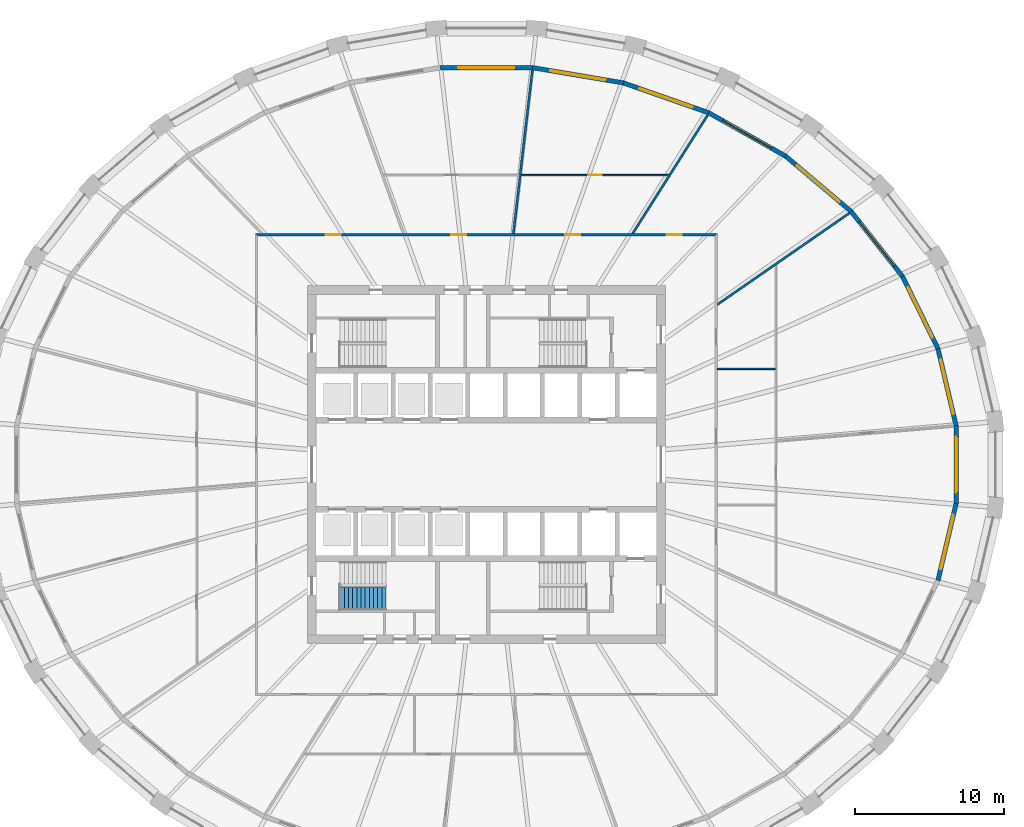
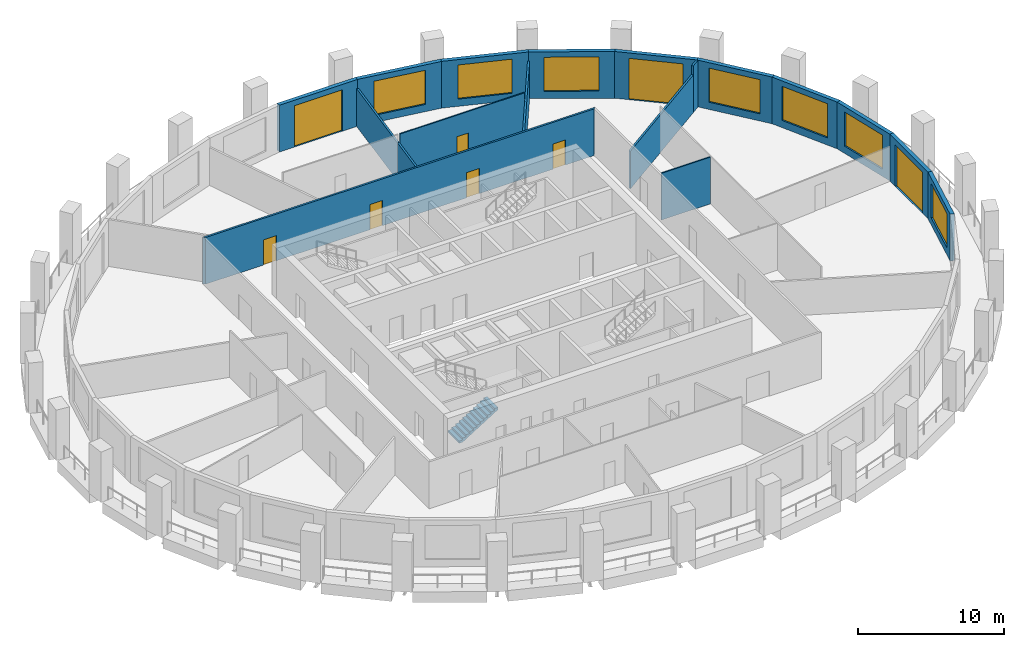
# One storey, part 7 of 11: 18 walls, 8 doors, 7 windows, 1 stair flight, 15 openings, 1 element without a shape of its own.
"""IFC4 building model written with IfcOpenShell, lengths in metres."""

from ifc_helpers import new_model, si_unit, direction, frame, frame_2d, origin, place, context, subcontext, project, spatial, polyline, rectangle, outline, extrude, material, layer, layer_set, type_object, element, fill, aggregate, save


model = new_model("IFC4")

# Units and contexts
model_context = context("Model", 3, precision=1e-05, world=origin(), true_north=direction((0.0, 1.0)))
body_context = subcontext(model_context, "Body", "Model", "MODEL_VIEW")
ifc_project = project(units=[si_unit("LENGTHUNIT", "METRE"), si_unit("AREAUNIT", "SQUARE_METRE"), si_unit("VOLUMEUNIT", "CUBIC_METRE"), si_unit("PLANEANGLEUNIT", "RADIAN"), si_unit("MASSUNIT", "GRAM", prefix="KILO")], contexts=[model_context])

# Site, building, storey
site_placement = place(None, origin())
site = spatial("IfcSite", under=ifc_project, at=site_placement, CompositionType="ELEMENT")
building_placement = place(site_placement, origin())
building = spatial("IfcBuilding", under=site, at=building_placement, Name="Halqa Exchange Tower", CompositionType="ELEMENT")
storey_placement = place(building_placement, frame((0.0, 0.0, 146.5)))
storey = spatial("IfcBuildingStorey", under=building, at=storey_placement, Name="L33", CompositionType="ELEMENT", Elevation=146.5)

# Wall, openings, doors
ifc_material_1 = material(Name="Fire-rated gypsum board")
ifc_layer_1 = layer(ifc_material_1, 0.14990234375)
ifc_layer_set_1 = layer_set([ifc_layer_1], Name="Fire-rated gypsum board")
wall_type_1 = type_object("IfcWallType", Name="Fire partition EI 60 150", PredefinedType="PARTITIONING", material=ifc_layer_set_1)
wall_1_placement = place(storey_placement, frame((-15.47509765625, 15.39990234375, 0.0), z_axis=(0.0, 0.0, 1.0), x_axis=(1.0, 0.0, 0.0)))
wall_1 = element("IfcWall", 1, at=wall_1_placement, inside=storey, type_object=wall_type_1, Name="L33-PWL-009", PredefinedType="PARTITIONING", context=body_context, shape_type="SweptSolid", body=[
    extrude(outline(polyline([(0.150146484375, -0.074951171875), (2.065673828125, -0.074951171875), (3.9814453125, -0.074951171875), (5.89697265625, -0.074951171875), (7.8125, -0.074951171875), (9.728271484375, -0.074951171875), (11.643798828125, -0.074951171875), (13.5595703125, -0.074951171875), (15.47509765625, -0.074951171875), (17.390625, -0.074951171875), (19.306396484375, -0.074951171875), (21.221923828125, -0.074951171875), (23.1376953125, -0.074951171875), (25.05322265625, -0.074951171875), (26.96875, -0.074951171875), (28.884521484375, -0.074951171875), (30.800048828125, -0.074951171875), (30.949951171875, 0.074951171875), (29.015625, 0.074951171875), (27.081298828125, 0.074951171875), (25.14697265625, 0.074951171875), (23.21240234375, 0.074951171875), (21.278076171875, 0.074951171875), (19.34375, 0.074951171875), (17.409423828125, 0.074951171875), (15.47509765625, 0.074951171875), (13.540771484375, 0.074951171875), (11.6064453125, 0.074951171875), (9.672119140625, 0.074951171875), (7.73779296875, 0.074951171875), (5.80322265625, 0.074951171875), (3.868896484375, 0.074951171875), (1.9345703125, 0.074951171875), (0.000244140625, 0.074951171875), (0.150146484375, -0.074951171875)])), origin(), (0.0, 0.0, 1.0), 3.89990234375),
])
opening_1_placement = place(wall_1_placement, frame((27.550048828125, 0.0, 0.0)))
opening_1 = element("IfcOpeningElement", 2, at=opening_1_placement, cuts=wall_1, Name="Opening 10-04", PredefinedType="OPENING", context=body_context, shape_type="SweptSolid", body=[
    extrude(rectangle(XDim=1.0, YDim=2.10009765625, at=frame_2d((0.5, 1.050048828125))), frame((0.0, 0.0869140625, 0.0), z_axis=(0.0, -1.0, 0.0), x_axis=(1.0, 0.0, 0.0)), (0.0, 0.0, 1.0), 0.173828125),
])
opening_2_placement = place(wall_1_placement, frame((20.75, 0.0, 0.0)))
opening_2 = element("IfcOpeningElement", 3, at=opening_2_placement, cuts=wall_1, Name="Opening 10-05", PredefinedType="OPENING", context=body_context, shape_type="SweptSolid", body=[
    extrude(rectangle(XDim=1.0, YDim=2.10009765625, at=frame_2d((0.5, 1.050048828125))), frame((0.0, 0.0869140625, 0.0), z_axis=(0.0, -1.0, 0.0), x_axis=(1.0, 0.0, 0.0)), (0.0, 0.0, 1.0), 0.173828125),
])
opening_3_placement = place(wall_1_placement, frame((13.110107421875, 0.0, 0.0)))
opening_3 = element("IfcOpeningElement", 4, at=opening_3_placement, cuts=wall_1, Name="Opening 10-06", PredefinedType="OPENING", context=body_context, shape_type="SweptSolid", body=[
    extrude(rectangle(XDim=1.0, YDim=2.10009765625, at=frame_2d((0.5, 1.050048828125))), frame((0.0, 0.0869140625, 0.0), z_axis=(0.0, -1.0, 0.0), x_axis=(1.0, 0.0, 0.0)), (0.0, 0.0, 1.0), 0.173828125),
])
opening_4_placement = place(wall_1_placement, frame((4.72509765625, 0.0, 0.0)))
opening_4 = element("IfcOpeningElement", 5, at=opening_4_placement, cuts=wall_1, Name="Opening 10-07", PredefinedType="OPENING", context=body_context, shape_type="SweptSolid", body=[
    extrude(rectangle(XDim=1.0, YDim=2.10009765625, at=frame_2d((0.5, 1.050048828125))), frame((0.0, 0.0869140625, 0.0), z_axis=(0.0, -1.0, 0.0), x_axis=(1.0, 0.0, 0.0)), (0.0, 0.0, 1.0), 0.173828125),
])
ifc_material_2 = material(Name="Steel fire door leaf", Category="steel")
door_type_1 = type_object("IfcDoorType", Name="Fire door FD30S 1000 x 2100", OperationType="SINGLE_SWING_LEFT", PredefinedType="DOOR", material=ifc_material_2)
door_1_placement = place(opening_1_placement, origin())
door_1 = element("IfcDoor", 6, at=door_1_placement, inside=storey, type_object=door_type_1, Name="L33-IDR-004", OperationType="SINGLE_SWING_RIGHT", OverallHeight=2.10009765625, OverallWidth=1.0, PredefinedType="DOOR", context=body_context, shape_type="SweptSolid", body=[
    extrude(rectangle(XDim=1.0, YDim=2.10009765625, at=frame_2d((0.5, 1.050048828125))), frame((0.0, 0.02490234375, 0.0), z_axis=(0.0, -1.0, 0.0), x_axis=(1.0, 0.0, 0.0)), (0.0, 0.0, 1.0), 0.050048828125),
])
fill(opening_1, door_1)
door_2_placement = place(opening_2_placement, origin())
door_2 = element("IfcDoor", 7, at=door_2_placement, inside=storey, type_object=door_type_1, Name="L33-IDR-005", OperationType="SINGLE_SWING_LEFT", OverallHeight=2.10009765625, OverallWidth=1.0, PredefinedType="DOOR", context=body_context, shape_type="SweptSolid", body=[
    extrude(rectangle(XDim=1.0, YDim=2.10009765625, at=frame_2d((0.5, 1.050048828125))), frame((0.0, 0.02490234375, 0.0), z_axis=(0.0, -1.0, 0.0), x_axis=(1.0, 0.0, 0.0)), (0.0, 0.0, 1.0), 0.050048828125),
])
fill(opening_2, door_2)
door_3_placement = place(opening_3_placement, origin())
door_3 = element("IfcDoor", 8, at=door_3_placement, inside=storey, type_object=door_type_1, Name="L33-IDR-006", OperationType="SINGLE_SWING_LEFT", OverallHeight=2.10009765625, OverallWidth=1.0, PredefinedType="DOOR", context=body_context, shape_type="SweptSolid", body=[
    extrude(rectangle(XDim=1.0, YDim=2.10009765625, at=frame_2d((0.5, 1.050048828125))), frame((0.0, 0.02490234375, 0.0), z_axis=(0.0, -1.0, 0.0), x_axis=(1.0, 0.0, 0.0)), (0.0, 0.0, 1.0), 0.050048828125),
])
fill(opening_3, door_3)
door_4_placement = place(opening_4_placement, origin())
door_4 = element("IfcDoor", 9, at=door_4_placement, inside=storey, type_object=door_type_1, Name="L33-IDR-007", OperationType="SINGLE_SWING_LEFT", OverallHeight=2.10009765625, OverallWidth=1.0, PredefinedType="DOOR", context=body_context, shape_type="SweptSolid", body=[
    extrude(rectangle(XDim=1.0, YDim=2.10009765625, at=frame_2d((0.5, 1.050048828125))), frame((0.0, 0.02490234375, 0.0), z_axis=(0.0, -1.0, 0.0), x_axis=(1.0, 0.0, 0.0)), (0.0, 0.0, 1.0), 0.050048828125),
])
fill(opening_4, door_4)

# Walls
wall_2_placement = place(storey_placement, frame((1.807861328125, 15.466552734375, 0.0), z_axis=(0.0, 0.0, 1.0), x_axis=(0.116696736795, 0.993167594931, 0.0)))
element("IfcWall", 10, at=wall_2_placement, inside=storey, type_object=wall_type_1, Name="L33-PWL-017", PredefinedType="PARTITIONING", context=body_context, shape_type="SweptSolid", body=[
    extrude(outline(polyline([(0.017333984375, -0.074951171875), (2.012451171875, -0.074951171875), (4.0078125, -0.074951171875), (4.018798828125, -0.07373046875), (4.018798828125, 0.074951171875), (3.998291015625, 0.074951171875), (3.902587890625, 0.063720703125), (3.9013671875, 0.074951171875), (1.95068359375, 0.074951171875), (0.0, 0.074951171875), (0.0, 0.072265625), (0.017333984375, -0.074951171875)])), origin(), (0.0, 0.0, 1.0), 3.14697265625),
])
wall_3_placement = place(storey_placement, frame((2.264892578125, 19.441650390625, 0.0), z_axis=(0.0, 0.0, 1.0), x_axis=(0.116372597522, 0.993205627524, 0.0)))
element("IfcWall", 11, at=wall_3_placement, inside=storey, type_object=wall_type_1, Name="L33-PWL-019", PredefinedType="PARTITIONING", context=body_context, shape_type="SweptSolid", body=[
    extrude(outline(polyline([(7.042724609375, -0.074951171875), (7.042724609375, 0.034912109375), (7.0380859375, 0.074951171875), (5.278564453125, 0.074951171875), (3.51904296875, 0.074951171875), (1.759521484375, 0.074951171875), (0.0, 0.074951171875), (0.0, 0.07177734375), (0.000732421875, 0.0654296875), (0.0, 0.0654296875), (0.0, 0.065185546875), (0.017822265625, 0.065185546875), (0.017822265625, -0.074951171875), (1.77392578125, -0.074951171875), (3.5302734375, -0.074951171875), (5.286376953125, -0.074951171875), (7.042724609375, -0.074951171875)])), origin(), (0.0, 0.0, 1.0), 3.14697265625),
])
wall_4_placement = place(storey_placement, frame((9.772216796875, 15.43505859375, 0.0), z_axis=(0.0, 0.0, 1.0), x_axis=(0.535018864906, 0.844840111616, 0.0)))
element("IfcWall", 12, at=wall_4_placement, inside=storey, type_object=wall_type_1, Name="L33-PWL-022", PredefinedType="PARTITIONING", context=body_context, shape_type="SweptSolid", body=[
    extrude(outline(polyline([(9.442626953125, 0.074951171875), (7.863037109375, 0.074951171875), (6.283447265625, 0.074951171875), (4.703857421875, 0.074951171875), (4.6201171875, 0.02197265625), (4.58642578125, 0.074951171875), (3.0576171875, 0.074951171875), (1.52880859375, 0.074951171875), (0.0, 0.074951171875), (0.0, 0.07470703125), (0.0947265625, -0.074951171875), (1.96435546875, -0.074951171875), (3.833984375, -0.074951171875), (5.703369140625, -0.074951171875), (7.572998046875, -0.074951171875), (9.442626953125, -0.074951171875), (9.442626953125, 0.074951171875)])), origin(), (0.0, 0.0, 1.0), 3.14697265625),
])
wall_5_placement = place(storey_placement, frame((15.4326171875, 10.6923828125, 0.0), z_axis=(0.0, 0.0, 1.0), x_axis=(0.822113566053, 0.569323532372, 0.0)))
element("IfcWall", 13, at=wall_5_placement, inside=storey, type_object=wall_type_1, Name="L33-PWL-027", PredefinedType="PARTITIONING", context=body_context, shape_type="SweptSolid", body=[
    extrude(outline(polyline([(0.0, -0.074951171875), (1.571044921875, -0.074951171875), (3.14208984375, -0.074951171875), (4.713134765625, -0.074951171875), (4.715087890625, -0.072021484375), (4.71923828125, -0.074951171875), (6.5, -0.074951171875), (8.28076171875, -0.074951171875), (10.0615234375, -0.074951171875), (10.0615234375, 0.074951171875), (8.06982421875, 0.074951171875), (6.078369140625, 0.074951171875), (4.086669921875, 0.074951171875), (2.094970703125, 0.074951171875), (0.103515625, 0.074951171875), (0.0, -0.074462890625), (0.0, -0.074951171875)])), origin(), (0.0, 0.0, 1.0), 3.14697265625),
])
wall_6_placement = place(storey_placement, frame((23.704345703125, 16.420654296875, 0.0), z_axis=(0.0, 0.0, 1.0), x_axis=(0.822076434515, 0.569377147253, 0.0)))
element("IfcWall", 14, at=wall_6_placement, inside=storey, type_object=wall_type_1, Name="L33-PWL-031", PredefinedType="PARTITIONING", context=body_context, shape_type="SweptSolid", body=[
    extrude(outline(polyline([(0.75927734375, -0.074951171875), (0.75927734375, -0.0693359375), (0.75439453125, 0.005615234375), (0.73583984375, 0.074951171875), (0.0, 0.074951171875), (0.0, -0.074951171875), (0.75927734375, -0.074951171875)])), origin(), (0.0, 0.0, 1.0), 3.89990234375),
])

# Wall, opening, door
ifc_material_3 = material(Name="Gypsum board")
ifc_layer_2 = layer(ifc_material_3, 0.10009765625)
ifc_layer_set_2 = layer_set([ifc_layer_2], Name="Gypsum board")
wall_type_2 = type_object("IfcWallType", Name="Partition 100 gypsum", PredefinedType="PARTITIONING", material=ifc_layer_set_2)
wall_7_placement = place(storey_placement, frame((2.340087890625, 19.39990234375, 0.0), z_axis=(0.0, 0.0, 1.0), x_axis=(1.0, 0.0, 0.0)))
wall_7 = element("IfcWall", 15, at=wall_7_placement, inside=storey, type_object=wall_type_2, Name="L33-PWL-020", PredefinedType="PARTITIONING", context=body_context, shape_type="SweptSolid", body=[
    extrude(outline(polyline([(0.0, -0.050048828125), (1.964599609375, -0.050048828125), (3.928955078125, -0.050048828125), (5.8935546875, -0.050048828125), (7.858154296875, -0.050048828125), (9.822509765625, -0.050048828125), (9.885498046875, 0.04931640625), (9.885498046875, 0.050048828125), (7.90966796875, 0.050048828125), (5.93359375, 0.050048828125), (3.957763671875, 0.050048828125), (1.981689453125, 0.050048828125), (0.005859375, 0.050048828125), (0.01123046875, 0.04931640625), (0.0, -0.0458984375), (0.0, -0.050048828125)])), origin(), (0.0, 0.0, 1.0), 3.89990234375),
])
opening_5_placement = place(wall_7_placement, frame((4.485107421875, 0.0, 0.0)))
opening_5 = element("IfcOpeningElement", 16, at=opening_5_placement, cuts=wall_7, Name="Opening 10-18", PredefinedType="OPENING", context=body_context, shape_type="SweptSolid", body=[
    extrude(rectangle(XDim=0.89990234375, YDim=2.10009765625, at=frame_2d((0.449951171875, 1.050048828125))), frame((0.0, 0.06201171875, 0.0), z_axis=(0.0, -1.0, 0.0), x_axis=(1.0, 0.0, 0.0)), (0.0, 0.0, 1.0), 0.1240234375),
])
ifc_material_4 = material(Name="Timber door leaf", Category="wood")
door_type_2 = type_object("IfcDoorType", Name="Door 900 x 2100", OperationType="SINGLE_SWING_LEFT", PredefinedType="DOOR", material=ifc_material_4)
door_5_placement = place(opening_5_placement, frame((0.89990234375, 0.0, 0.0), z_axis=(0.0, 0.0, 1.0), x_axis=(-1.0, 0.0, 0.0)))
door_5 = element("IfcDoor", 17, at=door_5_placement, inside=storey, type_object=door_type_2, Name="L33-IDR-018", OperationType="SINGLE_SWING_RIGHT", OverallHeight=2.10009765625, OverallWidth=0.89990234375, PredefinedType="DOOR", context=body_context, shape_type="SweptSolid", body=[
    extrude(rectangle(XDim=0.89990234375, YDim=2.10009765625, at=frame_2d((0.449951171875, 1.050048828125))), frame((0.0, 0.02490234375, 0.0), z_axis=(0.0, -1.0, 0.0), x_axis=(1.0, 0.0, 0.0)), (0.0, 0.0, 1.0), 0.050048828125),
])
fill(opening_5, door_5)

# Wall
wall_8_placement = place(storey_placement, frame((15.47509765625, 6.419921875, 0.0), z_axis=(0.0, 0.0, 1.0), x_axis=(1.0, 0.0, 0.0)))
element("IfcWall", 18, at=wall_8_placement, inside=storey, type_object=wall_type_2, Name="L33-PWL-026", PredefinedType="PARTITIONING", context=body_context, shape_type="SweptSolid", body=[
    extrude(rectangle(XDim=3.875, YDim=0.10009765625, at=frame_2d((1.9375, 0.0))), origin(), (0.0, 0.0, 1.0), 3.89990234375),
])

# Wall, opening, window
ifc_material_5 = material(Name="Limestone cladding", Category="masonry")
ifc_layer_3 = layer(ifc_material_5, 0.0400390625)
ifc_material_6 = material(Name="Ventilated cavity")
ifc_layer_4 = layer(ifc_material_6, 0.030029296875, ventilated=True)
ifc_material_7 = material(Name="Mineral wool insulation")
ifc_layer_5 = layer(ifc_material_7, 0.10009765625)
ifc_material_8 = material(Name="Concrete C30/37", Category="concrete")
ifc_layer_6 = layer(ifc_material_8, 0.10009765625)
ifc_material_9 = material(Name="Internal plaster")
ifc_layer_7 = layer(ifc_material_9, 0.030029296875)
ifc_layer_set_3 = layer_set([ifc_layer_3, ifc_layer_4, ifc_layer_5, ifc_layer_6, ifc_layer_7], Name="Stone-faced insulated wall 300")
wall_type_3 = type_object("IfcWallType", Name="Stone-faced insulated wall 300", PredefinedType="STANDARD", material=ifc_layer_set_3)
wall_9_placement = place(storey_placement, frame((31.461669921875, 2.62158203125, 0.0), z_axis=(0.0, 0.0, 1.0), x_axis=(-0.229289208312, 0.973358340464, 0.0)))
wall_9 = element("IfcWall", 19, at=wall_9_placement, inside=storey, type_object=wall_type_3, Name="Glass-line wall 1", PredefinedType="STANDARD", context=body_context, shape_type="SweptSolid", body=[
    extrude(outline(polyline([(-0.017333984375, -0.14990234375), (5.299072265625, -0.14990234375), (5.265380859375, 0.14990234375), (0.017333984375, 0.14990234375), (-0.017333984375, -0.14990234375)])), origin(), (0.0, 0.0, 1.0), 3.89990234375),
])
opening_6_placement = place(wall_9_placement, frame((0.76611328125, 0.0, 0.60009765625)))
opening_6 = element("IfcOpeningElement", 20, at=opening_6_placement, cuts=wall_9, Name="Opening W-F2-01", PredefinedType="OPENING", context=body_context, shape_type="SweptSolid", body=[
    extrude(rectangle(XDim=3.75, YDim=2.85009765625, at=frame_2d((1.875, 1.425048828125))), frame((0.0, 0.162109375, 0.0), z_axis=(0.0, -1.0, 0.0), x_axis=(1.0, 0.0, 0.0)), (0.0, 0.0, 1.0), 0.323974609375),
])
ifc_material_10 = material(Name="Clear low-emissivity glass in aluminium frame", Category="aluminium")
window_type = type_object("IfcWindowType", Name="Fixed clear glazed window 3750 x 2850", PartitioningType="TRIPLE_PANEL_VERTICAL", PredefinedType="WINDOW", material=ifc_material_10)
window_1_placement = place(opening_6_placement, origin())
window_1 = element("IfcWindow", 21, at=window_1_placement, inside=storey, type_object=window_type, Name="Window 2", OverallHeight=2.85009765625, OverallWidth=3.75, PartitioningType="TRIPLE_PANEL_VERTICAL", PredefinedType="WINDOW", context=body_context, shape_type="SweptSolid", body=[
    extrude(rectangle(XDim=3.75, YDim=2.85009765625, at=frame_2d((1.875, 1.425048828125))), frame((0.0, 0.030029296875, 0.0), z_axis=(0.0, -1.0, 0.0), x_axis=(1.0, 0.0, 0.0)), (0.0, 0.0, 1.0), 0.06005859375),
])
fill(opening_6, window_1)

wall_10_placement = place(storey_placement, frame((30.25048828125, 7.76318359375, 0.0), z_axis=(0.0, 0.0, 1.0), x_axis=(-0.440373354088, 0.897814740918, 0.0)))
wall_10 = element("IfcWall", 22, at=wall_10_placement, inside=storey, type_object=wall_type_3, Name="Glass-line wall 2", PredefinedType="STANDARD", context=body_context, shape_type="SweptSolid", body=[
    extrude(outline(polyline([(-0.016845703125, -0.14990234375), (5.40869140625, -0.14990234375), (5.37646484375, 0.14990234375), (0.016845703125, 0.14990234375), (-0.016845703125, -0.14990234375)])), origin(), (0.0, 0.0, 1.0), 3.89990234375),
])
opening_7_placement = place(wall_10_placement, frame((0.8212890625, 0.0, 0.60009765625)))
opening_7 = element("IfcOpeningElement", 23, at=opening_7_placement, cuts=wall_10, Name="Opening W-F2-02", PredefinedType="OPENING", context=body_context, shape_type="SweptSolid", body=[
    extrude(rectangle(XDim=3.75, YDim=2.85009765625, at=frame_2d((1.875, 1.425048828125))), frame((0.0, 0.162109375, 0.0), z_axis=(0.0, -1.0, 0.0), x_axis=(1.0, 0.0, 0.0)), (0.0, 0.0, 1.0), 0.323974609375),
])
window_2_placement = place(opening_7_placement, origin())
window_2 = element("IfcWindow", 24, at=window_2_placement, inside=storey, type_object=window_type, Name="Window 2", OverallHeight=2.85009765625, OverallWidth=3.75, PartitioningType="TRIPLE_PANEL_VERTICAL", PredefinedType="WINDOW", context=body_context, shape_type="SweptSolid", body=[
    extrude(rectangle(XDim=3.75, YDim=2.85009765625, at=frame_2d((1.875, 1.425048828125))), frame((0.0, 0.030029296875, 0.0), z_axis=(0.0, -1.0, 0.0), x_axis=(1.0, 0.0, 0.0)), (0.0, 0.0, 1.0), 0.06005859375),
])
fill(opening_7, window_2)

wall_11_placement = place(storey_placement, frame((27.875732421875, 12.604736328125, 0.0), z_axis=(0.0, 0.0, 1.0), x_axis=(-0.620520511988, 0.784190215574, 0.0)))
wall_11 = element("IfcWall", 25, at=wall_11_placement, inside=storey, type_object=wall_type_3, Name="Glass-line wall 3", PredefinedType="STANDARD", context=body_context, shape_type="SweptSolid", body=[
    extrude(outline(polyline([(-0.01611328125, -0.14990234375), (5.568603515625, -0.14990234375), (5.538330078125, 0.14990234375), (0.01611328125, 0.14990234375), (-0.01611328125, -0.14990234375)])), origin(), (0.0, 0.0, 1.0), 3.89990234375),
])
opening_8_placement = place(wall_11_placement, frame((0.901611328125, 0.0, 0.60009765625)))
opening_8 = element("IfcOpeningElement", 26, at=opening_8_placement, cuts=wall_11, Name="Opening W-F2-03", PredefinedType="OPENING", context=body_context, shape_type="SweptSolid", body=[
    extrude(rectangle(XDim=3.75, YDim=2.85009765625, at=frame_2d((1.875, 1.425048828125))), frame((0.0, 0.162109375, 0.0), z_axis=(0.0, -1.0, 0.0), x_axis=(1.0, 0.0, 0.0)), (0.0, 0.0, 1.0), 0.323974609375),
])
window_3_placement = place(opening_8_placement, origin())
window_3 = element("IfcWindow", 27, at=window_3_placement, inside=storey, type_object=window_type, Name="Window 2", OverallHeight=2.85009765625, OverallWidth=3.75, PartitioningType="TRIPLE_PANEL_VERTICAL", PredefinedType="WINDOW", context=body_context, shape_type="SweptSolid", body=[
    extrude(rectangle(XDim=3.75, YDim=2.85009765625, at=frame_2d((1.875, 1.425048828125))), frame((0.0, 0.030029296875, 0.0), z_axis=(0.0, -1.0, 0.0), x_axis=(1.0, 0.0, 0.0)), (0.0, 0.0, 1.0), 0.06005859375),
])
fill(opening_8, window_3)

# Wall, opening, door
wall_12_placement = place(storey_placement, frame((24.4296875, 16.959716796875, 0.0), z_axis=(0.0, 0.0, 1.0), x_axis=(-0.764047627809, 0.64515984255, 0.0)))
wall_12 = element("IfcWall", 28, at=wall_12_placement, inside=storey, type_object=wall_type_3, Name="Glass-line wall 4", PredefinedType="STANDARD", context=body_context, shape_type="SweptSolid", body=[
    extrude(outline(polyline([(-0.01513671875, -0.14990234375), (5.751708984375, -0.14990234375), (5.723388671875, 0.14990234375), (0.01513671875, 0.14990234375), (-0.01513671875, -0.14990234375)])), origin(), (0.0, 0.0, 1.0), 3.89990234375),
])
opening_9_placement = place(wall_12_placement, frame((0.99365234375, 0.0, 0.0)))
opening_9 = element("IfcOpeningElement", 29, at=opening_9_placement, cuts=wall_12, Name="Opening LG-F2-01", PredefinedType="OPENING", context=body_context, shape_type="SweptSolid", body=[
    extrude(rectangle(XDim=3.75, YDim=3.449951171875, at=frame_2d((1.875, 1.72509765625))), frame((0.0, 0.162109375, 0.0), z_axis=(0.0, -1.0, 0.0), x_axis=(1.0, 0.0, 0.0)), (0.0, 0.0, 1.0), 0.323974609375),
])
door_type_3 = type_object("IfcDoorType", Name="Glazed sliding loggia door 3750 x 3450", OperationType="DOUBLE_DOOR_SLIDING", PredefinedType="DOOR", material=ifc_material_10)
door_6_placement = place(opening_9_placement, origin())
door_6 = element("IfcDoor", 30, at=door_6_placement, inside=storey, type_object=door_type_3, Name="Loggia door 1", OperationType="DOUBLE_DOOR_SLIDING", OverallHeight=3.449951171875, OverallWidth=3.75, PredefinedType="DOOR", context=body_context, shape_type="SweptSolid", body=[
    extrude(rectangle(XDim=3.75, YDim=3.449951171875, at=frame_2d((1.875, 1.72509765625))), frame((0.0, 0.02490234375, 0.0), z_axis=(0.0, -1.0, 0.0), x_axis=(1.0, 0.0, 0.0)), (0.0, 0.0, 1.0), 0.050048828125),
])
fill(opening_9, door_6)

# Wall, opening, window
wall_13_placement = place(storey_placement, frame((20.0458984375, 20.661376953125, 0.0), z_axis=(0.0, 0.0, 1.0), x_axis=(-0.870912346166, 0.491438384028, 0.0)))
wall_13 = element("IfcWall", 31, at=wall_13_placement, inside=storey, type_object=wall_type_3, Name="Glass-line wall 5", PredefinedType="STANDARD", context=body_context, shape_type="SweptSolid", body=[
    extrude(outline(polyline([(-0.01416015625, -0.14990234375), (5.92919921875, -0.14990234375), (5.90234375, 0.14990234375), (0.01416015625, 0.14990234375), (-0.01416015625, -0.14990234375)])), origin(), (0.0, 0.0, 1.0), 3.89990234375),
])
opening_10_placement = place(wall_13_placement, frame((1.0830078125, 0.0, 0.60009765625)))
opening_10 = element("IfcOpeningElement", 32, at=opening_10_placement, cuts=wall_13, Name="Opening W-F2-05", PredefinedType="OPENING", context=body_context, shape_type="SweptSolid", body=[
    extrude(rectangle(XDim=3.75, YDim=2.85009765625, at=frame_2d((1.875, 1.425048828125))), frame((0.0, 0.162109375, 0.0), z_axis=(0.0, -1.0, 0.0), x_axis=(1.0, 0.0, 0.0)), (0.0, 0.0, 1.0), 0.323974609375),
])
window_4_placement = place(opening_10_placement, origin())
window_4 = element("IfcWindow", 33, at=window_4_placement, inside=storey, type_object=window_type, Name="Window 2", OverallHeight=2.85009765625, OverallWidth=3.75, PartitioningType="TRIPLE_PANEL_VERTICAL", PredefinedType="WINDOW", context=body_context, shape_type="SweptSolid", body=[
    extrude(rectangle(XDim=3.75, YDim=2.85009765625, at=frame_2d((1.875, 1.425048828125))), frame((0.0, 0.030029296875, 0.0), z_axis=(0.0, -1.0, 0.0), x_axis=(1.0, 0.0, 0.0)), (0.0, 0.0, 1.0), 0.06005859375),
])
fill(opening_10, window_4)

wall_14_placement = place(storey_placement, frame((14.893798828125, 23.568603515625, 0.0), z_axis=(0.0, 0.0, 1.0), x_axis=(-0.943925510212, 0.330158494016, 0.0)))
wall_14 = element("IfcWall", 34, at=wall_14_placement, inside=storey, type_object=wall_type_3, Name="Glass-line wall 6", PredefinedType="STANDARD", context=body_context, shape_type="SweptSolid", body=[
    extrude(outline(polyline([(-0.013427734375, -0.14990234375), (6.07568359375, -0.14990234375), (6.05029296875, 0.14990234375), (0.013427734375, 0.14990234375), (-0.013427734375, -0.14990234375)])), origin(), (0.0, 0.0, 1.0), 3.89990234375),
])
opening_11_placement = place(wall_14_placement, frame((1.156494140625, 0.0, 0.60009765625)))
opening_11 = element("IfcOpeningElement", 35, at=opening_11_placement, cuts=wall_14, Name="Opening W-F2-06", PredefinedType="OPENING", context=body_context, shape_type="SweptSolid", body=[
    extrude(rectangle(XDim=3.75, YDim=2.85009765625, at=frame_2d((1.875, 1.425048828125))), frame((0.0, 0.162109375, 0.0), z_axis=(0.0, -1.0, 0.0), x_axis=(1.0, 0.0, 0.0)), (0.0, 0.0, 1.0), 0.323974609375),
])
window_5_placement = place(opening_11_placement, origin())
window_5 = element("IfcWindow", 36, at=window_5_placement, inside=storey, type_object=window_type, Name="Window 2", OverallHeight=2.85009765625, OverallWidth=3.75, PartitioningType="TRIPLE_PANEL_VERTICAL", PredefinedType="WINDOW", context=body_context, shape_type="SweptSolid", body=[
    extrude(rectangle(XDim=3.75, YDim=2.85009765625, at=frame_2d((1.875, 1.425048828125))), frame((0.0, 0.030029296875, 0.0), z_axis=(0.0, -1.0, 0.0), x_axis=(1.0, 0.0, 0.0)), (0.0, 0.0, 1.0), 0.06005859375),
])
fill(opening_11, window_5)

wall_15_placement = place(storey_placement, frame((9.1708984375, 25.5703125, 0.0), z_axis=(0.0, 0.0, 1.0), x_axis=(-0.986186393203, 0.165639360845, 0.0)))
wall_15 = element("IfcWall", 37, at=wall_15_placement, inside=storey, type_object=wall_type_3, Name="Glass-line wall 7", PredefinedType="STANDARD", context=body_context, shape_type="SweptSolid", body=[
    extrude(outline(polyline([(-0.0126953125, -0.14990234375), (6.172119140625, -0.14990234375), (6.147216796875, 0.14990234375), (0.0126953125, 0.14990234375), (-0.0126953125, -0.14990234375)])), origin(), (0.0, 0.0, 1.0), 3.89990234375),
])
opening_12_placement = place(wall_15_placement, frame((1.20458984375, 0.0, 0.60009765625)))
opening_12 = element("IfcOpeningElement", 38, at=opening_12_placement, cuts=wall_15, Name="Opening W-F2-07", PredefinedType="OPENING", context=body_context, shape_type="SweptSolid", body=[
    extrude(rectangle(XDim=3.75, YDim=2.85009765625, at=frame_2d((1.875, 1.425048828125))), frame((0.0, 0.162109375, 0.0), z_axis=(0.0, -1.0, 0.0), x_axis=(1.0, 0.0, 0.0)), (0.0, 0.0, 1.0), 0.323974609375),
])
window_6_placement = place(opening_12_placement, origin())
window_6 = element("IfcWindow", 39, at=window_6_placement, inside=storey, type_object=window_type, Name="Window 2", OverallHeight=2.85009765625, OverallWidth=3.75, PartitioningType="TRIPLE_PANEL_VERTICAL", PredefinedType="WINDOW", context=body_context, shape_type="SweptSolid", body=[
    extrude(rectangle(XDim=3.75, YDim=2.85009765625, at=frame_2d((1.875, 1.425048828125))), frame((0.0, 0.030029296875, 0.0), z_axis=(0.0, -1.0, 0.0), x_axis=(1.0, 0.0, 0.0)), (0.0, 0.0, 1.0), 0.06005859375),
])
fill(opening_12, window_6)

# Wall, opening, door
wall_16_placement = place(storey_placement, frame((3.096435546875, 26.590576171875, 0.0), z_axis=(0.0, 0.0, 1.0), x_axis=(-1.0, 0.0, 0.0)))
wall_16 = element("IfcWall", 40, at=wall_16_placement, inside=storey, type_object=wall_type_3, Name="Glass-line wall 8", PredefinedType="STANDARD", context=body_context, shape_type="SweptSolid", body=[
    extrude(outline(polyline([(-0.012451171875, -0.14990234375), (6.205322265625, -0.14990234375), (6.180419921875, 0.14990234375), (0.012451171875, 0.14990234375), (-0.012451171875, -0.14990234375)])), origin(), (0.0, 0.0, 1.0), 3.89990234375),
])
opening_13_placement = place(wall_16_placement, frame((1.221435546875, 0.0, 0.0)))
opening_13 = element("IfcOpeningElement", 41, at=opening_13_placement, cuts=wall_16, Name="Opening LG-F2-02", PredefinedType="OPENING", context=body_context, shape_type="SweptSolid", body=[
    extrude(rectangle(XDim=3.75, YDim=3.449951171875, at=frame_2d((1.875, 1.72509765625))), frame((0.0, 0.162109375, 0.0), z_axis=(0.0, -1.0, 0.0), x_axis=(1.0, 0.0, 0.0)), (0.0, 0.0, 1.0), 0.323974609375),
])
door_7_placement = place(opening_13_placement, origin())
door_7 = element("IfcDoor", 42, at=door_7_placement, inside=storey, type_object=door_type_3, Name="Loggia door 2", OperationType="DOUBLE_DOOR_SLIDING", OverallHeight=3.449951171875, OverallWidth=3.75, PredefinedType="DOOR", context=body_context, shape_type="SweptSolid", body=[
    extrude(rectangle(XDim=3.75, YDim=3.449951171875, at=frame_2d((1.875, 1.72509765625))), frame((0.0, 0.02490234375, 0.0), z_axis=(0.0, -1.0, 0.0), x_axis=(1.0, 0.0, 0.0)), (0.0, 0.0, 1.0), 0.050048828125),
])
fill(opening_13, door_7)

# Wall, opening, window
wall_17_placement = place(storey_placement, frame((30.25048828125, -7.76318359375, 0.0), z_axis=(0.0, 0.0, 1.0), x_axis=(0.229289208312, 0.973358340464, 0.0)))
wall_17 = element("IfcWall", 43, at=wall_17_placement, inside=storey, type_object=wall_type_3, Name="Glass-line wall 31", PredefinedType="STANDARD", context=body_context, shape_type="SweptSolid", body=[
    extrude(outline(polyline([(-0.016845703125, -0.14990234375), (5.299560546875, -0.14990234375), (5.264892578125, 0.14990234375), (0.016845703125, 0.14990234375), (-0.016845703125, -0.14990234375)])), origin(), (0.0, 0.0, 1.0), 3.89990234375),
])
opening_14_placement = place(wall_17_placement, frame((0.76611328125, 0.0, 0.60009765625)))
opening_14 = element("IfcOpeningElement", 44, at=opening_14_placement, cuts=wall_17, Name="Opening W-F2-31", PredefinedType="OPENING", context=body_context, shape_type="SweptSolid", body=[
    extrude(rectangle(XDim=3.75, YDim=2.85009765625, at=frame_2d((1.875, 1.425048828125))), frame((0.0, 0.162109375, 0.0), z_axis=(0.0, -1.0, 0.0), x_axis=(1.0, 0.0, 0.0)), (0.0, 0.0, 1.0), 0.323974609375),
])
window_7_placement = place(opening_14_placement, origin())
window_7 = element("IfcWindow", 45, at=window_7_placement, inside=storey, type_object=window_type, Name="Window 2", OverallHeight=2.85009765625, OverallWidth=3.75, PartitioningType="TRIPLE_PANEL_VERTICAL", PredefinedType="WINDOW", context=body_context, shape_type="SweptSolid", body=[
    extrude(rectangle(XDim=3.75, YDim=2.85009765625, at=frame_2d((1.875, 1.425048828125))), frame((0.0, 0.030029296875, 0.0), z_axis=(0.0, -1.0, 0.0), x_axis=(1.0, 0.0, 0.0)), (0.0, 0.0, 1.0), 0.06005859375),
])
fill(opening_14, window_7)

# Wall, opening, door
wall_18_placement = place(storey_placement, frame((31.461669921875, -2.62158203125, 0.0), z_axis=(0.0, 0.0, 1.0), x_axis=(0.0, 1.0, 0.0)))
wall_18 = element("IfcWall", 46, at=wall_18_placement, inside=storey, type_object=wall_type_3, Name="Glass-line wall 32", PredefinedType="STANDARD", context=body_context, shape_type="SweptSolid", body=[
    extrude(outline(polyline([(-0.017333984375, -0.14990234375), (5.260498046875, -0.14990234375), (5.225830078125, 0.14990234375), (0.017333984375, 0.14990234375), (-0.017333984375, -0.14990234375)])), origin(), (0.0, 0.0, 1.0), 3.89990234375),
])
opening_15_placement = place(wall_18_placement, frame((0.74658203125, 0.0, 0.0)))
opening_15 = element("IfcOpeningElement", 47, at=opening_15_placement, cuts=wall_18, Name="Opening LG-F2-08", PredefinedType="OPENING", context=body_context, shape_type="SweptSolid", body=[
    extrude(rectangle(XDim=3.75, YDim=3.449951171875, at=frame_2d((1.875, 1.72509765625))), frame((0.0, 0.162109375, 0.0), z_axis=(0.0, -1.0, 0.0), x_axis=(1.0, 0.0, 0.0)), (0.0, 0.0, 1.0), 0.323974609375),
])
door_8_placement = place(opening_15_placement, origin())
door_8 = element("IfcDoor", 48, at=door_8_placement, inside=storey, type_object=door_type_3, Name="Loggia door 8", OperationType="DOUBLE_DOOR_SLIDING", OverallHeight=3.449951171875, OverallWidth=3.75, PredefinedType="DOOR", context=body_context, shape_type="SweptSolid", body=[
    extrude(rectangle(XDim=3.75, YDim=3.449951171875, at=frame_2d((1.875, 1.72509765625))), frame((0.0, 0.02490234375, 0.0), z_axis=(0.0, -1.0, 0.0), x_axis=(1.0, 0.0, 0.0)), (0.0, 0.0, 1.0), 0.050048828125),
])
fill(opening_15, door_8)

# Stair, stair flight
stair_type = type_object("IfcStairType", Name="Exit stair 1500 wide", PredefinedType="HALF_TURN_STAIR", material=ifc_material_8)
stair_placement = place(storey_placement, origin())
stair = element("IfcStair", 49, at=stair_placement, inside=storey, type_object=stair_type, Name="Exit stair ST3", PredefinedType="HALF_TURN_STAIR")
stair_flight_type = type_object("IfcStairFlightType", Name="Stair flight 1500 wide", PredefinedType="STRAIGHT", material=ifc_material_8)
stair_flight_placement = place(storey_placement, frame((-9.800048828125, -9.0, 0.0), z_axis=(0.0, 0.0, 1.0), x_axis=(1.0, 0.0, 0.0)))
stair_flight = element("IfcStairFlight", 50, at=stair_flight_placement, type_object=stair_flight_type, Name="ST3 flight 1", NumberOfRisers=12, NumberOfTreads=11, PredefinedType="STRAIGHT", RiserHeight=0.175, TreadLength=0.28, context=body_context, shape_type="SweptSolid", body=[
    extrude(outline(polyline([(0.0, 0.0), (0.0, 0.175048828125), (0.280029296875, 0.175048828125), (0.280029296875, 0.35009765625), (0.56005859375, 0.35009765625), (0.56005859375, 0.52490234375), (0.840087890625, 0.52490234375), (0.840087890625, 0.699951171875), (1.1201171875, 0.699951171875), (1.1201171875, 0.875), (1.39990234375, 0.875), (1.39990234375, 1.050048828125), (1.679931640625, 1.050048828125), (1.679931640625, 1.22509765625), (1.9599609375, 1.22509765625), (1.9599609375, 1.39990234375), (2.239990234375, 1.39990234375), (2.239990234375, 1.574951171875), (2.52001953125, 1.574951171875), (2.52001953125, 1.75), (2.800048828125, 1.75), (2.800048828125, 1.925048828125), (3.080078125, 1.925048828125), (3.080078125, 2.10009765625), (3.080078125, 1.748291015625), (0.28271484375, 0.0), (0.0, 0.0)])), frame((0.0, 0.75, 0.0), z_axis=(0.0, -1.0, 0.0), x_axis=(1.0, 0.0, 0.0)), (0.0, 0.0, 1.0), 1.5),
])
aggregate(stair, [stair_flight])

save(model, "model.ifc")
